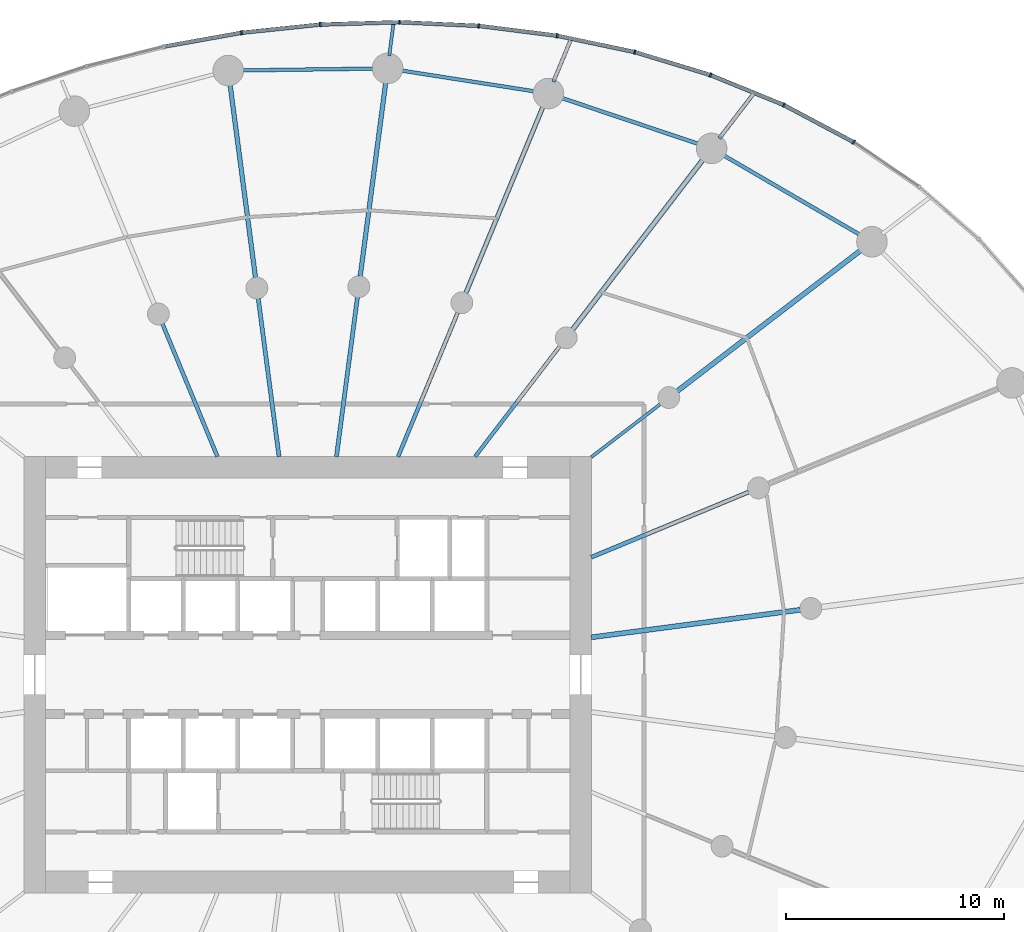
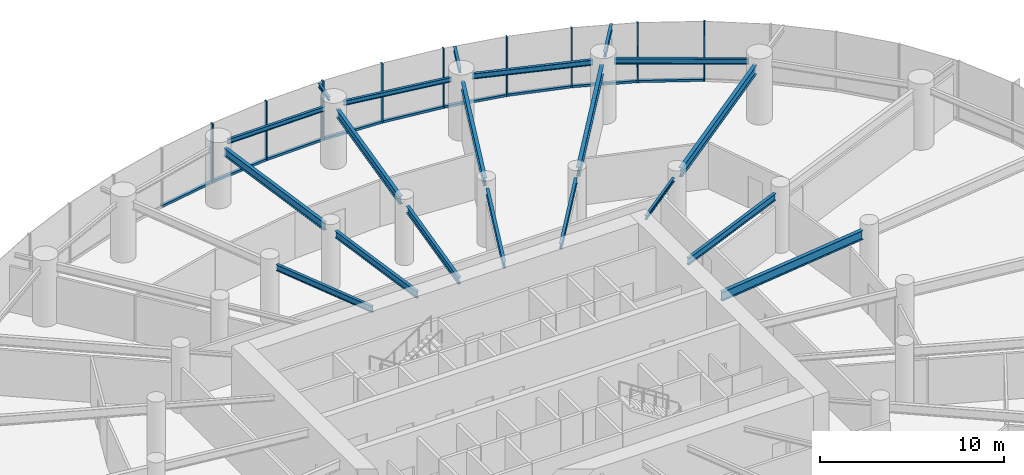
# One storey, part 7 of 19: 20 beams, 18 members, 2 elements without a shape of their own.
"""IFC4 building model written with IfcOpenShell, lengths in metres."""

from ifc_helpers import new_model, si_unit, direction, frame, origin, origin_2d, place, context, subcontext, project, spatial, rectangle, i_section, extrude, source, transform, mapped, material, layer, layer_set, material_profile, profile_set, type_object, element, aggregate, save


model = new_model("IFC4")

# Units and contexts
model_context = context("Model", 3, precision=1e-05, world=origin(), true_north=direction((0.0, 1.0)))
body_context = subcontext(model_context, "Body", "Model", "MODEL_VIEW")
ifc_project = project(units=[si_unit("LENGTHUNIT", "METRE"), si_unit("AREAUNIT", "SQUARE_METRE"), si_unit("VOLUMEUNIT", "CUBIC_METRE"), si_unit("PLANEANGLEUNIT", "RADIAN"), si_unit("MASSUNIT", "GRAM", prefix="KILO")], contexts=[model_context])

# Site, building, storey
site_placement = place(None, origin())
site = spatial("IfcSite", under=ifc_project, at=site_placement, CompositionType="ELEMENT")
building_placement = place(site_placement, origin())
building = spatial("IfcBuilding", under=site, at=building_placement, Name="Spindrift Exchange Tower", CompositionType="ELEMENT")
storey_placement = place(building_placement, frame((0.0, 0.0, 57.800048828125)))
storey = spatial("IfcBuildingStorey", under=building, at=storey_placement, Name="L13", CompositionType="ELEMENT", Elevation=57.800048828125)

# Beams
ifc_material_1 = material(Name="Steel Grade 300", Category="steel")
ifc_material_profile_1 = material_profile(ifc_material_1, i_section(OverallWidth=0.22802734375, OverallDepth=0.60693359375, WebThickness=0.01123046875, FlangeThickness=0.017333984375, FilletRadius=0.013916015625, at=origin_2d()), Name="610UB113")
ifc_profile_set_1 = profile_set([ifc_material_profile_1], Name="Steel Grade 300")
beam_type_1 = type_object("IfcBeamType", Name="Floor Beam 610UB113 Steel Grade 300", PredefinedType="BEAM", material=ifc_profile_set_1)
shared_shape_1 = source(origin(), body_context, "Body", "SweptSolid", [
    extrude(i_section(OverallWidth=0.22802734375, OverallDepth=0.60693359375, WebThickness=0.01123046875, FlangeThickness=0.017333984375, FilletRadius=0.013916015625, at=origin_2d()), origin(), (0.0, 0.0, 1.0), 9.660400390625),
])
beam_1_placement = place(storey_placement, frame((64.980224609375, 49.708984375, 3.646484375), z_axis=(0.99144767089, 0.130504850054, 0.0), x_axis=(-0.130504850054, 0.99144767089, 0.0)))
element("IfcBeam", 1, at=beam_1_placement, inside=storey, type_object=beam_type_1, Name="L13 radial beam R01A", PredefinedType="BEAM", context=body_context, shape_type="MappedRepresentation", body=[
    mapped(shared_shape_1, transform((0.0, 0.0, 0.0), scale=1.0)),
])
ifc_material_profile_2 = material_profile(ifc_material_1, i_section(OverallWidth=0.18994140625, OverallDepth=0.45703125, WebThickness=0.009033203125, FlangeThickness=0.014404296875, FilletRadius=0.013916015625, at=origin_2d()), Name="460UB74.6")
ifc_profile_set_2 = profile_set([ifc_material_profile_2], Name="Steel Grade 300")
beam_type_2 = type_object("IfcBeamType", Name="Floor Beam 460UB74.6 Steel Grade 300", PredefinedType="BEAM", material=ifc_profile_set_2)
shared_shape_2 = source(origin(), body_context, "Body", "SweptSolid", [
    extrude(i_section(OverallWidth=0.18994140625, OverallDepth=0.45703125, WebThickness=0.009033203125, FlangeThickness=0.014404296875, FilletRadius=0.013916015625, at=origin_2d()), origin(), (0.0, 0.0, 1.0), 7.808837890625),
])
beam_2_placement = place(storey_placement, frame((64.9814453125, 53.377197265625, 3.721435546875), z_axis=(0.92387965154, 0.382683145003, 0.0), x_axis=(-0.382683145003, 0.92387965154, 0.0)))
element("IfcBeam", 2, at=beam_2_placement, inside=storey, type_object=beam_type_2, Name="L13 radial beam R02A", PredefinedType="BEAM", context=body_context, shape_type="MappedRepresentation", body=[
    mapped(shared_shape_2, transform((0.0, 0.0, 0.0), scale=1.0)),
])
ifc_material_profile_3 = material_profile(ifc_material_1, i_section(OverallWidth=0.14599609375, OverallDepth=0.251953125, WebThickness=0.006103515625, FlangeThickness=0.008544921875, FilletRadius=0.011962890625, at=origin_2d()), Name="250UB31.4")
ifc_profile_set_3 = profile_set([ifc_material_profile_3], Name="Steel Grade 300")
beam_type_3 = type_object("IfcBeamType", Name="Floor Beam 250UB31.4 Steel Grade 300", PredefinedType="BEAM", material=ifc_profile_set_3)
shared_shape_3 = source(origin(), body_context, "Body", "SweptSolid", [
    extrude(i_section(OverallWidth=0.14599609375, OverallDepth=0.251953125, WebThickness=0.006103515625, FlangeThickness=0.008544921875, FilletRadius=0.011962890625, at=origin_2d()), origin(), (0.0, 0.0, 1.0), 3.99560546875),
])
beam_3_placement = place(storey_placement, frame((64.984130859375, 57.963134765625, 3.823974609375), z_axis=(0.793352561574, 0.608762443851, 0.0), x_axis=(-0.608762443851, 0.793352561574, 0.0)))
element("IfcBeam", 3, at=beam_3_placement, inside=storey, type_object=beam_type_3, Name="L13 radial beam R03A", PredefinedType="BEAM", context=body_context, shape_type="MappedRepresentation", body=[
    mapped(shared_shape_3, transform((0.0, 0.0, 0.0), scale=1.0)),
])
shared_shape_4 = source(origin(), body_context, "Body", "SweptSolid", [
    extrude(i_section(OverallWidth=0.22802734375, OverallDepth=0.60693359375, WebThickness=0.01123046875, FlangeThickness=0.017333984375, FilletRadius=0.013916015625, at=origin_2d()), origin(), (0.0, 0.0, 1.0), 10.66357421875),
])
beam_4_placement = place(storey_placement, frame((68.91552734375, 60.979736328125, 3.646484375), z_axis=(0.793357926757, 0.608755451764, 0.0), x_axis=(-0.608755451764, 0.793357926757, 0.0)))
element("IfcBeam", 4, at=beam_4_placement, inside=storey, type_object=beam_type_1, Name="L13 radial beam R03B", PredefinedType="BEAM", context=body_context, shape_type="MappedRepresentation", body=[
    mapped(shared_shape_4, transform((0.0, 0.0, 0.0), scale=1.0)),
])
ifc_material_profile_4 = material_profile(ifc_material_1, i_section(OverallWidth=0.172119140625, OverallDepth=0.35888671875, WebThickness=0.008056640625, FlangeThickness=0.012939453125, FilletRadius=0.013916015625, at=origin_2d()), Name="360UB56.7")
ifc_profile_set_4 = profile_set([ifc_material_profile_4], Name="Steel Grade 300")
beam_type_4 = type_object("IfcBeamType", Name="Floor Beam 360UB56.7 Steel Grade 300", PredefinedType="BEAM", material=ifc_profile_set_4)
shared_shape_5 = source(origin(), body_context, "Body", "SweptSolid", [
    extrude(i_section(OverallWidth=0.172119140625, OverallDepth=0.35888671875, WebThickness=0.008056640625, FlangeThickness=0.012939453125, FilletRadius=0.013916015625, at=origin_2d()), origin(), (0.0, 0.0, 1.0), 6.37646484375),
])
beam_5_placement = place(storey_placement, frame((59.6611328125, 57.984130859375, 3.7705078125), z_axis=(0.608766669952, 0.793349318747, 0.0), x_axis=(-0.793349318747, 0.608766669952, 0.0)))
element("IfcBeam", 5, at=beam_5_placement, inside=storey, type_object=beam_type_4, Name="L13 radial beam R04A", PredefinedType="BEAM", context=body_context, shape_type="MappedRepresentation", body=[
    mapped(shared_shape_5, transform((0.0, 0.0, 0.0), scale=1.0)),
])
shared_shape_6 = source(origin(), body_context, "Body", "SweptSolid", [
    extrude(i_section(OverallWidth=0.22802734375, OverallDepth=0.60693359375, WebThickness=0.01123046875, FlangeThickness=0.017333984375, FilletRadius=0.013916015625, at=origin_2d()), origin(), (0.0, 0.0, 1.0), 9.87548828125),
])
beam_6_placement = place(storey_placement, frame((64.127197265625, 63.8046875, 3.646484375), z_axis=(0.608772470836, 0.793344867477, 0.0), x_axis=(-0.793344867477, 0.608772470836, 0.0)))
element("IfcBeam", 6, at=beam_6_placement, inside=storey, type_object=beam_type_1, Name="L13 radial beam R04B", PredefinedType="BEAM", context=body_context, shape_type="MappedRepresentation", body=[
    mapped(shared_shape_6, transform((0.0, 0.0, 0.0), scale=1.0)),
])
ifc_material_profile_5 = material_profile(ifc_material_1, i_section(OverallWidth=0.177978515625, OverallDepth=0.406005859375, WebThickness=0.0078125, FlangeThickness=0.0126953125, FilletRadius=0.013916015625, at=origin_2d()), Name="410UB59.7")
ifc_profile_set_5 = profile_set([ifc_material_profile_5], Name="Steel Grade 300")
beam_type_5 = type_object("IfcBeamType", Name="Floor Beam 410UB59.7 Steel Grade 300", PredefinedType="BEAM", material=ifc_profile_set_5)
shared_shape_7 = source(origin(), body_context, "Body", "SweptSolid", [
    extrude(i_section(OverallWidth=0.177978515625, OverallDepth=0.406005859375, WebThickness=0.0078125, FlangeThickness=0.0126953125, FilletRadius=0.013916015625, at=origin_2d()), origin(), (0.0, 0.0, 1.0), 7.150634765625),
])
beam_7_placement = place(storey_placement, frame((56.134521484375, 57.9814453125, 3.7470703125), z_axis=(0.382665393358, 0.923887004306, 0.0), x_axis=(-0.923887004306, 0.382665393358, 0.0)))
element("IfcBeam", 7, at=beam_7_placement, inside=storey, type_object=beam_type_5, Name="L13 radial beam R05A", PredefinedType="BEAM", context=body_context, shape_type="MappedRepresentation", body=[
    mapped(shared_shape_7, transform((0.0, 0.0, 0.0), scale=1.0)),
])
ifc_material_profile_6 = material_profile(ifc_material_1, i_section(OverallWidth=0.208984375, OverallDepth=0.532958984375, WebThickness=0.01025390625, FlangeThickness=0.015625, FilletRadius=0.013916015625, at=origin_2d()), Name="530UB92.4")
ifc_profile_set_6 = profile_set([ifc_material_profile_6], Name="Steel Grade 300")
beam_type_6 = type_object("IfcBeamType", Name="Floor Beam 530UB92.4 Steel Grade 300", PredefinedType="BEAM", material=ifc_profile_set_6)
shared_shape_8 = source(origin(), body_context, "Body", "SweptSolid", [
    extrude(i_section(OverallWidth=0.208984375, OverallDepth=0.532958984375, WebThickness=0.01025390625, FlangeThickness=0.015625, FilletRadius=0.013916015625, at=origin_2d()), origin(), (0.0, 0.0, 1.0), 9.309326171875),
])
beam_8_placement = place(storey_placement, frame((59.23828125, 65.474853515625, 3.683349609375), z_axis=(0.382685326691, 0.923878747853, 0.0), x_axis=(-0.923878747853, 0.382685326691, 0.0)))
element("IfcBeam", 8, at=beam_8_placement, inside=storey, type_object=beam_type_6, Name="L13 radial beam R05B", PredefinedType="BEAM", context=body_context, shape_type="MappedRepresentation", body=[
    mapped(shared_shape_8, transform((0.0, 0.0, 0.0), scale=1.0)),
])
shared_shape_9 = source(origin(), body_context, "Body", "SweptSolid", [
    extrude(i_section(OverallWidth=0.18994140625, OverallDepth=0.45703125, WebThickness=0.009033203125, FlangeThickness=0.014404296875, FilletRadius=0.013916015625, at=origin_2d()), origin(), (0.0, 0.0, 1.0), 7.374267578125),
])
beam_9_placement = place(storey_placement, frame((53.31396484375, 57.980224609375, 3.721435546875), z_axis=(0.130539295622, 0.99144313619, 0.0), x_axis=(-0.99144313619, 0.130539295622, 0.0)))
element("IfcBeam", 9, at=beam_9_placement, inside=storey, type_object=beam_type_2, Name="L13 radial beam R06A", PredefinedType="BEAM", context=body_context, shape_type="MappedRepresentation", body=[
    mapped(shared_shape_9, transform((0.0, 0.0, 0.0), scale=1.0)),
])
shared_shape_10 = source(origin(), body_context, "Body", "SweptSolid", [
    extrude(i_section(OverallWidth=0.208984375, OverallDepth=0.532958984375, WebThickness=0.01025390625, FlangeThickness=0.015625, FilletRadius=0.013916015625, at=origin_2d()), origin(), (0.0, 0.0, 1.0), 9.020263671875),
])
beam_10_placement = place(storey_placement, frame((54.40185546875, 66.2431640625, 3.683349609375), z_axis=(0.13051122338, 0.991446831944, 0.0), x_axis=(-0.991446831944, 0.13051122338, 0.0)))
element("IfcBeam", 10, at=beam_10_placement, inside=storey, type_object=beam_type_6, Name="L13 radial beam R06B", PredefinedType="BEAM", context=body_context, shape_type="MappedRepresentation", body=[
    mapped(shared_shape_10, transform((0.0, 0.0, 0.0), scale=1.0)),
])
shared_shape_11 = source(origin(), body_context, "Body", "SweptSolid", [
    extrude(i_section(OverallWidth=0.18994140625, OverallDepth=0.45703125, WebThickness=0.009033203125, FlangeThickness=0.014404296875, FilletRadius=0.013916015625, at=origin_2d()), origin(), (0.0, 0.0, 1.0), 7.3095703125),
])
beam_11_placement = place(storey_placement, frame((50.68603515625, 57.980224609375, 3.721435546875), z_axis=(-0.130527087244, 0.991444743541, 0.0), x_axis=(-0.991444743541, -0.130527087244, 0.0)))
element("IfcBeam", 11, at=beam_11_placement, inside=storey, type_object=beam_type_2, Name="L13 radial beam R07A", PredefinedType="BEAM", context=body_context, shape_type="MappedRepresentation", body=[
    mapped(shared_shape_11, transform((0.0, 0.0, 0.0), scale=1.0)),
])
shared_shape_12 = source(origin(), body_context, "Body", "SweptSolid", [
    extrude(i_section(OverallWidth=0.208984375, OverallDepth=0.532958984375, WebThickness=0.01025390625, FlangeThickness=0.015625, FilletRadius=0.013916015625, at=origin_2d()), origin(), (0.0, 0.0, 1.0), 8.98388671875),
])
beam_12_placement = place(storey_placement, frame((49.606689453125, 66.17919921875, 3.683349609375), z_axis=(-0.130524106785, 0.991445135924, 0.0), x_axis=(-0.991445135924, -0.130524106785, 0.0)))
element("IfcBeam", 12, at=beam_12_placement, inside=storey, type_object=beam_type_6, Name="L13 radial beam R07B", PredefinedType="BEAM", context=body_context, shape_type="MappedRepresentation", body=[
    mapped(shared_shape_12, transform((0.0, 0.0, 0.0), scale=1.0)),
])
shared_shape_13 = source(origin(), body_context, "Body", "SweptSolid", [
    extrude(i_section(OverallWidth=0.177978515625, OverallDepth=0.406005859375, WebThickness=0.0078125, FlangeThickness=0.0126953125, FilletRadius=0.013916015625, at=origin_2d()), origin(), (0.0, 0.0, 1.0), 6.594482421875),
])
beam_13_placement = place(storey_placement, frame((47.865478515625, 57.9814453125, 3.7470703125), z_axis=(-0.382692929746, 0.92387559851, 0.0), x_axis=(-0.92387559851, -0.382692929746, 0.0)))
element("IfcBeam", 13, at=beam_13_placement, inside=storey, type_object=beam_type_5, Name="L13 radial beam R08A", PredefinedType="BEAM", context=body_context, shape_type="MappedRepresentation", body=[
    mapped(shared_shape_13, transform((0.0, 0.0, 0.0), scale=1.0)),
])
ifc_material_profile_7 = material_profile(ifc_material_1, i_section(OverallWidth=0.172119140625, OverallDepth=0.35888671875, WebThickness=0.008056640625, FlangeThickness=0.012939453125, FilletRadius=0.013916015625, at=origin_2d()), Name="360UB56.7")
ifc_profile_set_7 = profile_set([ifc_material_profile_7], Name="Steel Grade 300")
beam_type_7 = type_object("IfcBeamType", Name="Edge Beam 360UB56.7 Steel Grade 300", PredefinedType="SPANDREL", material=ifc_profile_set_7)
shared_shape_14 = source(origin(), body_context, "Body", "SweptSolid", [
    extrude(i_section(OverallWidth=0.172119140625, OverallDepth=0.35888671875, WebThickness=0.008056640625, FlangeThickness=0.012939453125, FilletRadius=0.013916015625, at=origin_2d()), origin(), (0.0, 0.0, 1.0), 7.33740234375),
])
beam_14_placement = place(storey_placement, frame((77.33447265625, 68.1162109375, 3.7705078125), z_axis=(-0.864211826308, 0.503128134047, 0.0), x_axis=(-0.503128134047, -0.864211826308, 0.0)))
element("IfcBeam", 14, at=beam_14_placement, inside=storey, type_object=beam_type_7, Name="L13 edge beam E03", PredefinedType="SPANDREL", context=body_context, shape_type="MappedRepresentation", body=[
    mapped(shared_shape_14, transform((0.0, 0.0, 0.0), scale=1.0)),
])
shared_shape_15 = source(origin(), body_context, "Body", "SweptSolid", [
    extrude(i_section(OverallWidth=0.172119140625, OverallDepth=0.35888671875, WebThickness=0.008056640625, FlangeThickness=0.012939453125, FilletRadius=0.013916015625, at=origin_2d()), origin(), (0.0, 0.0, 1.0), 6.72021484375),
])
beam_15_placement = place(storey_placement, frame((69.9423828125, 72.28466796875, 3.7705078125), z_axis=(-0.947851749681, 0.318711563372, 0.0), x_axis=(-0.318711563372, -0.947851749681, 0.0)))
element("IfcBeam", 15, at=beam_15_placement, inside=storey, type_object=beam_type_7, Name="L13 edge beam E04", PredefinedType="SPANDREL", context=body_context, shape_type="MappedRepresentation", body=[
    mapped(shared_shape_15, transform((0.0, 0.0, 0.0), scale=1.0)),
])
ifc_material_profile_8 = material_profile(ifc_material_1, i_section(OverallWidth=0.1650390625, OverallDepth=0.303955078125, WebThickness=0.006103515625, FlangeThickness=0.01025390625, FilletRadius=0.011474609375, at=origin_2d()), Name="310UB40.4")
ifc_profile_set_8 = profile_set([ifc_material_profile_8], Name="Steel Grade 300")
beam_type_8 = type_object("IfcBeamType", Name="Edge Beam 310UB40.4 Steel Grade 300", PredefinedType="SPANDREL", material=ifc_profile_set_8)
shared_shape_16 = source(origin(), body_context, "Body", "SweptSolid", [
    extrude(i_section(OverallWidth=0.1650390625, OverallDepth=0.303955078125, WebThickness=0.006103515625, FlangeThickness=0.01025390625, FilletRadius=0.011474609375, at=origin_2d()), origin(), (0.0, 0.0, 1.0), 6.297119140625),
])
beam_16_placement = place(storey_placement, frame((62.44970703125, 74.70068359375, 3.7978515625), z_axis=(-0.98802902915, 0.154268070436, 0.0), x_axis=(-0.154268070436, -0.98802902915, 0.0)))
element("IfcBeam", 16, at=beam_16_placement, inside=storey, type_object=beam_type_8, Name="L13 edge beam E05", PredefinedType="SPANDREL", context=body_context, shape_type="MappedRepresentation", body=[
    mapped(shared_shape_16, transform((0.0, 0.0, 0.0), scale=1.0)),
])
shared_shape_17 = source(origin(), body_context, "Body", "SweptSolid", [
    extrude(i_section(OverallWidth=0.1650390625, OverallDepth=0.303955078125, WebThickness=0.006103515625, FlangeThickness=0.01025390625, FilletRadius=0.011474609375, at=origin_2d()), origin(), (0.0, 0.0, 1.0), 6.13720703125),
])
beam_17_placement = place(storey_placement, frame((55.074951171875, 75.75341796875, 3.7978515625), z_axis=(-0.999905820907, -0.013724041543, 0.0), x_axis=(0.013724041543, -0.999905820907, 0.0)))
element("IfcBeam", 17, at=beam_17_placement, inside=storey, type_object=beam_type_8, Name="L13 edge beam E06", PredefinedType="SPANDREL", context=body_context, shape_type="MappedRepresentation", body=[
    mapped(shared_shape_17, transform((0.0, 0.0, 0.0), scale=1.0)),
])
ifc_material_profile_9 = material_profile(ifc_material_1, i_section(OverallWidth=0.172119140625, OverallDepth=0.35888671875, WebThickness=0.008056640625, FlangeThickness=0.012939453125, FilletRadius=0.013916015625, at=origin_2d()), Name="360UB56.7")
ifc_profile_set_9 = profile_set([ifc_material_profile_9], Name="Steel Grade 300")
beam_type_9 = type_object("IfcBeamType", Name="Cantilever Beam 360UB56.7 Steel Grade 300", PredefinedType="BEAM", material=ifc_profile_set_9)
shared_shape_18 = source(origin(), body_context, "Body", "SweptSolid", [
    extrude(i_section(OverallWidth=0.172119140625, OverallDepth=0.35888671875, WebThickness=0.008056640625, FlangeThickness=0.012939453125, FilletRadius=0.013916015625, at=origin_2d()), origin(), (0.0, 0.0, 1.0), 2.71337890625),
])
beam_18_placement = place(storey_placement, frame((70.845458984375, 72.559814453125, 3.7705078125), z_axis=(0.608788496113, 0.793332570238, 0.0), x_axis=(-0.793332570238, 0.608788496113, 0.0)))
element("IfcBeam", 18, at=beam_18_placement, inside=storey, type_object=beam_type_9, Name="L13 cantilever beam R04T", PredefinedType="BEAM", context=body_context, shape_type="MappedRepresentation", body=[
    mapped(shared_shape_18, transform((0.0, 0.0, 0.0), scale=1.0)),
])
ifc_material_profile_10 = material_profile(ifc_material_1, i_section(OverallWidth=0.1650390625, OverallDepth=0.303955078125, WebThickness=0.006103515625, FlangeThickness=0.01025390625, FilletRadius=0.011474609375, at=origin_2d()), Name="310UB40.4")
ifc_profile_set_10 = profile_set([ifc_material_profile_10], Name="Steel Grade 300")
beam_type_10 = type_object("IfcBeamType", Name="Cantilever Beam 310UB40.4 Steel Grade 300", PredefinedType="BEAM", material=ifc_profile_set_10)
shared_shape_19 = source(origin(), body_context, "Body", "SweptSolid", [
    extrude(i_section(OverallWidth=0.1650390625, OverallDepth=0.303955078125, WebThickness=0.006103515625, FlangeThickness=0.01025390625, FilletRadius=0.011474609375, at=origin_2d()), origin(), (0.0, 0.0, 1.0), 2.148193359375),
])
beam_19_placement = place(storey_placement, frame((63.244873046875, 75.147216796875, 3.7978515625), z_axis=(0.38266965235, 0.92388524026, 0.0), x_axis=(-0.92388524026, 0.38266965235, 0.0)))
element("IfcBeam", 19, at=beam_19_placement, inside=storey, type_object=beam_type_10, Name="L13 cantilever beam R05T", PredefinedType="BEAM", context=body_context, shape_type="MappedRepresentation", body=[
    mapped(shared_shape_19, transform((0.0, 0.0, 0.0), scale=1.0)),
])
ifc_material_profile_11 = material_profile(ifc_material_1, i_section(OverallWidth=0.14599609375, OverallDepth=0.251953125, WebThickness=0.006103515625, FlangeThickness=0.008544921875, FilletRadius=0.011962890625, at=origin_2d()), Name="250UB31.4")
ifc_profile_set_11 = profile_set([ifc_material_profile_11], Name="Steel Grade 300")
beam_type_11 = type_object("IfcBeamType", Name="Cantilever Beam 250UB31.4 Steel Grade 300", PredefinedType="BEAM", material=ifc_profile_set_11)
shared_shape_20 = source(origin(), body_context, "Body", "SweptSolid", [
    extrude(i_section(OverallWidth=0.14599609375, OverallDepth=0.251953125, WebThickness=0.006103515625, FlangeThickness=0.008544921875, FilletRadius=0.011962890625, at=origin_2d()), origin(), (0.0, 0.0, 1.0), 1.453125),
])
beam_20_placement = place(storey_placement, frame((55.730712890625, 76.33642578125, 3.823974609375), z_axis=(0.130380626225, 0.991464014629, 0.0), x_axis=(-0.991464014629, 0.130380626225, 0.0)))
element("IfcBeam", 20, at=beam_20_placement, inside=storey, type_object=beam_type_11, Name="L13 cantilever beam R06T", PredefinedType="BEAM", context=body_context, shape_type="MappedRepresentation", body=[
    mapped(shared_shape_20, transform((0.0, 0.0, 0.0), scale=1.0)),
])

# Curtain wall, members
ifc_material_2 = material(Name="Fritted laminated glass with bronze frame", Category="glass")
ifc_layer = layer(ifc_material_2, 0.199951171875)
ifc_layer_set = layer_set([ifc_layer], Name="ZONE 1 BRONZE FRITTED WALL")
curtain_wall_type = type_object("IfcCurtainWallType", Name="ZONE 1 BRONZE FRITTED WALL", PredefinedType="NOTDEFINED", material=ifc_layer_set)
curtain_wall_1_placement = place(storey_placement, origin())
curtain_wall_1 = element("IfcCurtainWall", 21, at=curtain_wall_1_placement, inside=storey, type_object=curtain_wall_type, Name="L13 Zone 1 Bronze Fritted Wall run 2", PredefinedType="NOTDEFINED")
ifc_material_3 = material(Name="Bronze anodised aluminium", Category="aluminium")
ifc_material_profile_12 = material_profile(ifc_material_3, rectangle(XDim=0.080078125, YDim=0.199951171875, at=origin_2d()), Name="ZONE 1 BRONZE FRITTED WALL MULLION 80X200")
ifc_profile_set_12 = profile_set([ifc_material_profile_12], Name="Bronze anodised aluminium")
member_type_1 = type_object("IfcMemberType", Name="ZONE 1 BRONZE FRITTED WALL MULLION 80X200", PredefinedType="MULLION", material=ifc_profile_set_12)
shared_shape_21 = source(origin(), body_context, "Body", "SweptSolid", [
    extrude(rectangle(XDim=0.080078125, YDim=0.199951171875, at=origin_2d()), origin(), (0.0, 0.0, 1.0), 3.949951171875),
])
member_1_placement = place(storey_placement, frame((77.00048828125, 72.38427734375, 0.0), z_axis=(0.0, 0.0, 1.0), x_axis=(-0.855967452358, 0.517029709499, 0.0)))
member_1 = element("IfcMember", 22, at=member_1_placement, type_object=member_type_1, Name="L13 mullion CW-1.7", PredefinedType="MULLION", context=body_context, shape_type="MappedRepresentation", body=[
    mapped(shared_shape_21, transform((0.0, 0.0, 0.0), scale=1.0)),
])
member_2_placement = place(storey_placement, frame((73.798583984375, 74.0869140625, 0.0), z_axis=(0.0, 0.0, 1.0), x_axis=(-0.905464353047, 0.424422319585, 0.0)))
member_2 = element("IfcMember", 23, at=member_2_placement, type_object=member_type_1, Name="L13 mullion CW-1.8", PredefinedType="MULLION", context=body_context, shape_type="MappedRepresentation", body=[
    mapped(shared_shape_21, transform((0.0, 0.0, 0.0), scale=1.0)),
])
member_3_placement = place(storey_placement, frame((70.441162109375, 75.458984375, 0.0), z_axis=(0.0, 0.0, 1.0), x_axis=(-0.942320387479, 0.334712245581, 0.0)))
member_3 = element("IfcMember", 24, at=member_3_placement, type_object=member_type_1, Name="L13 mullion CW-1.9", PredefinedType="MULLION", context=body_context, shape_type="MappedRepresentation", body=[
    mapped(shared_shape_21, transform((0.0, 0.0, 0.0), scale=1.0)),
])
member_4_placement = place(storey_placement, frame((66.970458984375, 76.51220703125, 0.0), z_axis=(0.0, 0.0, 1.0), x_axis=(-0.968667869504, 0.248359736251, 0.0)))
member_4 = element("IfcMember", 25, at=member_4_placement, type_object=member_type_1, Name="L13 mullion CW-1.10", PredefinedType="MULLION", context=body_context, shape_type="MappedRepresentation", body=[
    mapped(shared_shape_21, transform((0.0, 0.0, 0.0), scale=1.0)),
])
member_5_placement = place(storey_placement, frame((63.421142578125, 77.2587890625, 0.0), z_axis=(0.0, 0.0, 1.0), x_axis=(-0.986229947245, 0.165379839028, 0.0)))
member_5 = element("IfcMember", 26, at=member_5_placement, type_object=member_type_1, Name="L13 mullion CW-1.11", PredefinedType="MULLION", context=body_context, shape_type="MappedRepresentation", body=[
    mapped(shared_shape_21, transform((0.0, 0.0, 0.0), scale=1.0)),
])
member_6_placement = place(storey_placement, frame((59.822021484375, 77.710693359375, 0.0), z_axis=(0.0, 0.0, 1.0), x_axis=(-0.996340340465, 0.085474709487, 0.0)))
member_6 = element("IfcMember", 27, at=member_6_placement, type_object=member_type_1, Name="L13 mullion CW-1.12", PredefinedType="MULLION", context=body_context, shape_type="MappedRepresentation", body=[
    mapped(shared_shape_21, transform((0.0, 0.0, 0.0), scale=1.0)),
])

curtain_wall_2_placement = place(storey_placement, origin())
curtain_wall_2 = element("IfcCurtainWall", 28, at=curtain_wall_2_placement, inside=storey, type_object=curtain_wall_type, Name="L13 Zone 1 Bronze Fritted Wall run 3", PredefinedType="NOTDEFINED")
member_7_placement = place(storey_placement, frame((56.19873046875, 77.87841796875, 0.0), z_axis=(0.0, 0.0, 1.0), x_axis=(-0.999965857911, 0.008263353561, 0.0)))
member_7 = element("IfcMember", 29, at=member_7_placement, type_object=member_type_1, Name="L13 mullion CW-1.13", PredefinedType="MULLION", context=body_context, shape_type="MappedRepresentation", body=[
    mapped(shared_shape_21, transform((0.0, 0.0, 0.0), scale=1.0)),
])
member_8_placement = place(storey_placement, frame((52.572998046875, 77.770751953125, 0.0), z_axis=(0.0, 0.0, 1.0), x_axis=(-0.997773675572, -0.066691021397, 0.0)))
member_8 = element("IfcMember", 30, at=member_8_placement, type_object=member_type_1, Name="L13 mullion CW-1.14", PredefinedType="MULLION", context=body_context, shape_type="MappedRepresentation", body=[
    mapped(shared_shape_21, transform((0.0, 0.0, 0.0), scale=1.0)),
])
member_9_placement = place(storey_placement, frame((48.965087890625, 77.39501953125, 0.0), z_axis=(0.0, 0.0, 1.0), x_axis=(-0.990170864113, -0.139863003903, 0.0)))
member_9 = element("IfcMember", 31, at=member_9_placement, type_object=member_type_1, Name="L13 mullion CW-1.15", PredefinedType="MULLION", context=body_context, shape_type="MappedRepresentation", body=[
    mapped(shared_shape_21, transform((0.0, 0.0, 0.0), scale=1.0)),
])

# Member
ifc_material_profile_13 = material_profile(ifc_material_3, rectangle(XDim=0.179931640625, YDim=0.14990234375, at=origin_2d()), Name="ZONE 1 BRONZE FRITTED WALL TRANSOM 180X150")
ifc_profile_set_13 = profile_set([ifc_material_profile_13], Name="Bronze anodised aluminium")
member_type_2 = type_object("IfcMemberType", Name="ZONE 1 BRONZE FRITTED WALL TRANSOM 180X150", PredefinedType="USERDEFINED", material=ifc_profile_set_13)
shared_shape_22 = source(origin(), body_context, "Body", "SweptSolid", [
    extrude(rectangle(XDim=0.179931640625, YDim=0.14990234375, at=origin_2d()), origin(), (0.0, 0.0, 1.0), 3.546875),
])
member_10_placement = place(storey_placement, frame((73.761474609375, 74.10205078125, 0.074951171875), z_axis=(-0.925678476653, 0.378311191827, 0.0), x_axis=(-0.378311191827, -0.925678476653, 0.0)))
member_10 = element("IfcMember", 32, at=member_10_placement, type_object=member_type_2, Name="L13 transom CW-1.8", ObjectType="TRANSOM", PredefinedType="USERDEFINED", context=body_context, shape_type="MappedRepresentation", body=[
    mapped(shared_shape_22, transform((0.0, 0.0, 0.0), scale=1.0)),
])

member_11_placement = place(storey_placement, frame((70.40283203125, 75.470458984375, 0.074951171875), z_axis=(-0.956904488802, 0.29040282249, 0.0), x_axis=(-0.29040282249, -0.956904488802, 0.0)))
member_11 = element("IfcMember", 33, at=member_11_placement, type_object=member_type_2, Name="L13 transom CW-1.9", ObjectType="TRANSOM", PredefinedType="USERDEFINED", context=body_context, shape_type="MappedRepresentation", body=[
    mapped(shared_shape_22, transform((0.0, 0.0, 0.0), scale=1.0)),
])

shared_shape_23 = source(origin(), body_context, "Body", "SweptSolid", [
    extrude(rectangle(XDim=0.179931640625, YDim=0.14990234375, at=origin_2d()), origin(), (0.0, 0.0, 1.0), 3.54736328125),
])
member_12_placement = place(storey_placement, frame((59.7822265625, 77.712646484375, 0.074951171875), z_axis=(-0.998933046932, 0.046181898477, 0.0), x_axis=(-0.046181898477, -0.998933046932, 0.0)))
member_12 = element("IfcMember", 34, at=member_12_placement, type_object=member_type_2, Name="L13 transom CW-1.12", ObjectType="TRANSOM", PredefinedType="USERDEFINED", context=body_context, shape_type="MappedRepresentation", body=[
    mapped(shared_shape_23, transform((0.0, 0.0, 0.0), scale=1.0)),
])

member_13_placement = place(storey_placement, frame((56.15869140625, 77.877197265625, 0.074951171875), z_axis=(-0.999559987162, -0.029661963265, 0.0), x_axis=(0.029661963265, -0.999559987162, 0.0)))
member_13 = element("IfcMember", 35, at=member_13_placement, type_object=member_type_2, Name="L13 transom CW-1.13", ObjectType="TRANSOM", PredefinedType="USERDEFINED", context=body_context, shape_type="MappedRepresentation", body=[
    mapped(shared_shape_23, transform((0.0, 0.0, 0.0), scale=1.0)),
])

member_14_placement = place(storey_placement, frame((52.533203125, 77.7666015625, 0.074951171875), z_axis=(-0.9946142711, -0.103645799355, 0.0), x_axis=(0.103645799355, -0.9946142711, 0.0)))
member_14 = element("IfcMember", 36, at=member_14_placement, type_object=member_type_2, Name="L13 transom CW-1.14", ObjectType="TRANSOM", PredefinedType="USERDEFINED", context=body_context, shape_type="MappedRepresentation", body=[
    mapped(shared_shape_23, transform((0.0, 0.0, 0.0), scale=1.0)),
])

member_15_placement = place(storey_placement, frame((48.925537109375, 77.387939453125, 0.074951171875), z_axis=(-0.984393101943, -0.175983581184, 0.0), x_axis=(0.175983581184, -0.984393101943, 0.0)))
member_15 = element("IfcMember", 37, at=member_15_placement, type_object=member_type_2, Name="L13 transom CW-1.15", ObjectType="TRANSOM", PredefinedType="USERDEFINED", context=body_context, shape_type="MappedRepresentation", body=[
    mapped(shared_shape_23, transform((0.0, 0.0, 0.0), scale=1.0)),
])

aggregate(curtain_wall_2, [member_7, member_13, member_8, member_14, member_9, member_15])

shared_shape_24 = source(origin(), body_context, "Body", "SweptSolid", [
    extrude(rectangle(XDim=0.179931640625, YDim=0.14990234375, at=origin_2d()), origin(), (0.0, 0.0, 1.0), 3.547119140625),
])
member_16_placement = place(storey_placement, frame((66.931396484375, 76.520263671875, 0.074951171875), z_axis=(-0.978581174761, 0.205861323232, 0.0), x_axis=(-0.205861323232, -0.978581174761, 0.0)))
member_16 = element("IfcMember", 38, at=member_16_placement, type_object=member_type_2, Name="L13 transom CW-1.10", ObjectType="TRANSOM", PredefinedType="USERDEFINED", context=body_context, shape_type="MappedRepresentation", body=[
    mapped(shared_shape_24, transform((0.0, 0.0, 0.0), scale=1.0)),
])

member_17_placement = place(storey_placement, frame((63.38134765625, 77.263671875, 0.074951171875), z_axis=(-0.992201450793, 0.124644618992, 0.0), x_axis=(-0.124644618992, -0.992201450793, 0.0)))
member_17 = element("IfcMember", 39, at=member_17_placement, type_object=member_type_2, Name="L13 transom CW-1.11", ObjectType="TRANSOM", PredefinedType="USERDEFINED", context=body_context, shape_type="MappedRepresentation", body=[
    mapped(shared_shape_24, transform((0.0, 0.0, 0.0), scale=1.0)),
])

shared_shape_25 = source(origin(), body_context, "Body", "SweptSolid", [
    extrude(rectangle(XDim=0.179931640625, YDim=0.14990234375, at=origin_2d()), origin(), (0.0, 0.0, 1.0), 3.546630859375),
])
member_18_placement = place(storey_placement, frame((76.96533203125, 72.403076171875, 0.074951171875), z_axis=(-0.882954351817, 0.469458850814, 0.0), x_axis=(-0.469458850814, -0.882954351817, 0.0)))
member_18 = element("IfcMember", 40, at=member_18_placement, type_object=member_type_2, Name="L13 transom CW-1.7", ObjectType="TRANSOM", PredefinedType="USERDEFINED", context=body_context, shape_type="MappedRepresentation", body=[
    mapped(shared_shape_25, transform((0.0, 0.0, 0.0), scale=1.0)),
])

aggregate(curtain_wall_1, [member_1, member_18, member_2, member_10, member_3, member_11, member_4, member_16, member_5, member_17, member_6, member_12])

save(model, "model.ifc")
